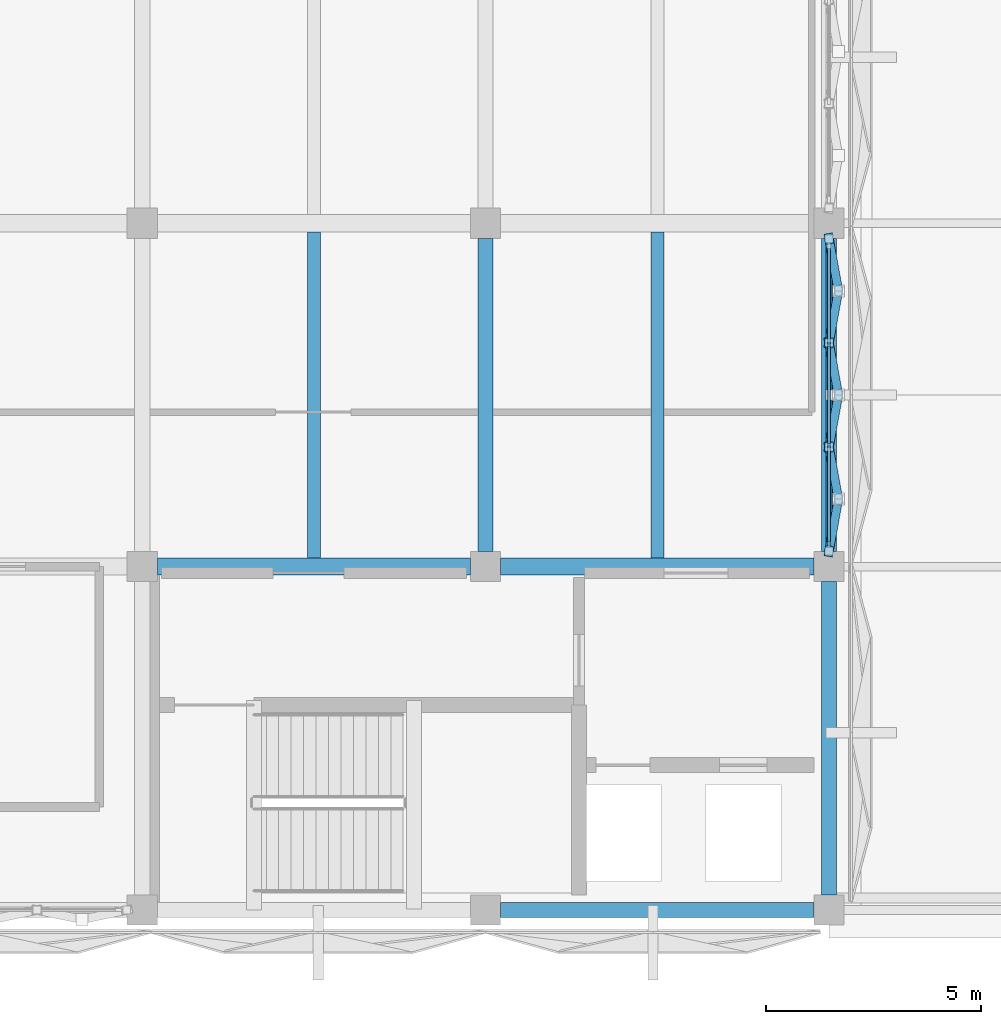
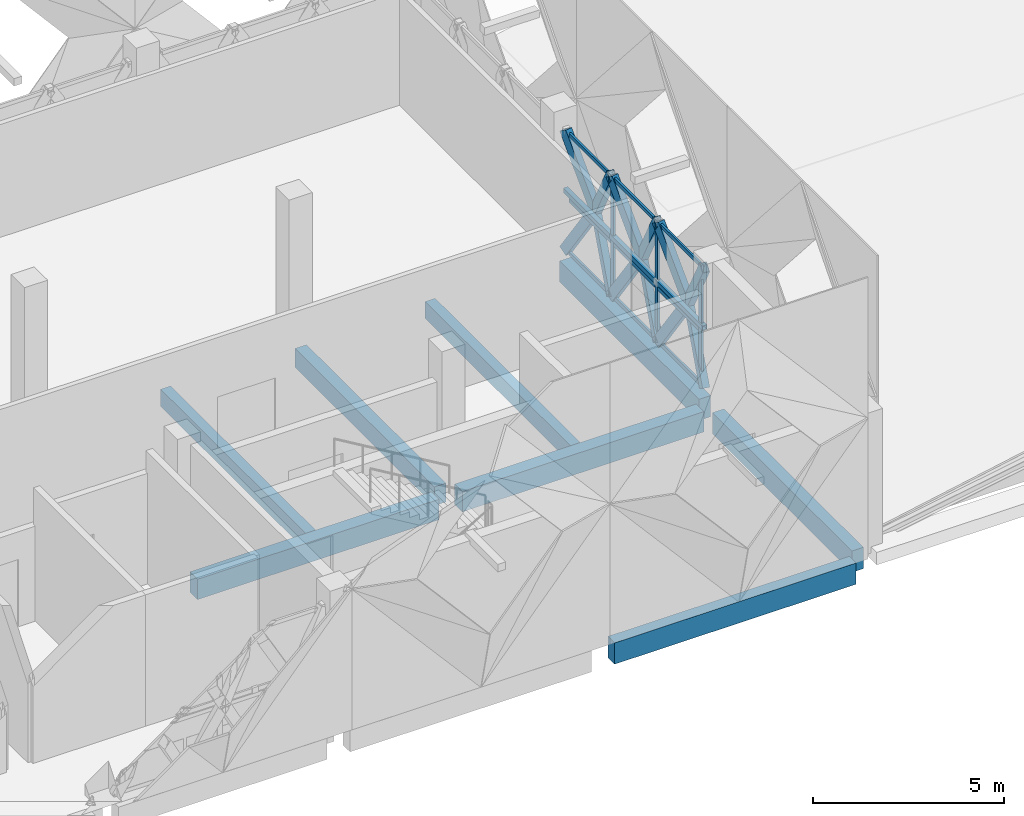
# One storey, part 13 of 37: 27 members, 8 beams, 1 element without a shape of its own.
"""IFC4 building model written with IfcOpenShell, lengths in metres."""

from ifc_helpers import new_model, si_unit, direction, frame, origin, origin_2d, place, context, subcontext, project, spatial, rectangle, hollow_rectangle, extrude, material, layer, layer_set, material_profile, profile_set, type_object, element, aggregate, save


model = new_model("IFC4")

# Units and contexts
model_context = context("Model", 3, precision=1e-05, world=origin(), true_north=direction((0.0, 1.0)))
body_context = subcontext(model_context, "Body", "Model", "MODEL_VIEW")
ifc_project = project(units=[si_unit("LENGTHUNIT", "METRE"), si_unit("AREAUNIT", "SQUARE_METRE"), si_unit("VOLUMEUNIT", "CUBIC_METRE"), si_unit("PLANEANGLEUNIT", "RADIAN"), si_unit("MASSUNIT", "GRAM", prefix="KILO")], contexts=[model_context])

# Site, building, storey
site_placement = place(None, origin())
site = spatial("IfcSite", under=ifc_project, at=site_placement, CompositionType="ELEMENT")
building_placement = place(site_placement, origin())
building = spatial("IfcBuilding", under=site, at=building_placement, Name="Qorikala Patio Media Centre", CompositionType="ELEMENT")
storey_placement = place(building_placement, frame((0.0, 0.0, 14.39990234375)))
storey = spatial("IfcBuildingStorey", under=building, at=storey_placement, Name="L03", CompositionType="ELEMENT", Elevation=14.39990234375)

# Beams
ifc_material_1 = material(Name="Concrete C35/45", Category="concrete")
ifc_material_profile_1 = material_profile(ifc_material_1, rectangle(XDim=0.35009765625, YDim=0.60009765625, at=origin_2d()), Name="RC 350x600")
ifc_profile_set_1 = profile_set([ifc_material_profile_1], Name="Concrete C35/45")
beam_type_1 = type_object("IfcBeamType", Name="BM-G350X600", PredefinedType="BEAM", material=ifc_profile_set_1)
beam_placement = place(storey_placement, frame((90.0, 11.35009765625, -0.599853515625), z_axis=(0.0, 1.0, 0.0), x_axis=(-1.0, 0.0, 0.0)))
element("IfcBeam", 1, at=beam_placement, inside=storey, type_object=beam_type_1, Name="L03 Grid X=90 Beam 1259", PredefinedType="BEAM", context=body_context, shape_type="SweptSolid", body=[
    extrude(rectangle(XDim=0.35009765625, YDim=0.60009765625, at=origin_2d()), origin(), (0.0, 0.0, 1.0), 7.2998046875),
])
ifc_material_profile_2 = material_profile(ifc_material_1, rectangle(XDim=0.39990234375, YDim=0.64990234375, at=origin_2d()), Name="RC 400x650")
ifc_profile_set_2 = profile_set([ifc_material_profile_2], Name="Concrete C35/45")
beam_type_2 = type_object("IfcBeamType", Name="BM-G400X650", PredefinedType="BEAM", material=ifc_profile_set_2)
for number, where, z_axis, x_axis, name in (
    (2, (82.35009765625, 11.0, -0.625), (1.0, 0.0, 0.0), (0.0, 1.0, 0.0), "L03 Grid 11 Beam 1124"),
    (3, (90.35009765625, 11.0, -0.625), (1.0, 0.0, 0.0), (0.0, 1.0, 0.0), "L03 Grid 11 Beam 1125"),
):
    element("IfcBeam", number, at=place(storey_placement, frame(where, z_axis=z_axis, x_axis=x_axis)), inside=storey, type_object=beam_type_2, Name=name, PredefinedType="BEAM", context=body_context, shape_type="SweptSolid", body=[
        extrude(rectangle(XDim=0.39990234375, YDim=0.64990234375, at=origin_2d()), origin(), (0.0, 0.0, 1.0), 7.2998046875),
    ])

# Members
ifc_material_2 = material(Name="Golden Bronze Coated Steel S355", Category="steel")
ifc_material_profile_3 = material_profile(ifc_material_2, hollow_rectangle(XDim=0.139892578125, YDim=0.139892578125, WallThickness=0.006103515625, at=origin_2d()), Name="HSS140X140X6")
ifc_profile_set_3 = profile_set([ifc_material_profile_3], Name="Golden Bronze Coated Steel S355")
member_type_1 = type_object("IfcMemberType", Name="BRACE-DIA140", PredefinedType="BRACE", material=ifc_profile_set_3)
member_1_placement = place(storey_placement, frame((98.0, 18.639892578125, 1.925048828125), z_axis=(0.0, -1.0, 0.0), x_axis=(1.0, 0.0, 0.0)))
element("IfcMember", 4, at=member_1_placement, inside=storey, type_object=member_type_1, Name="L03 Diamond Fold Tie 070", PredefinedType="BRACE", context=body_context, shape_type="SweptSolid", body=[
    extrude(hollow_rectangle(XDim=0.139892578125, YDim=0.139892578125, WallThickness=0.006103515625, at=origin_2d()), origin(), (0.0, 0.0, 1.0), 2.426513671875),
])
member_2_placement = place(storey_placement, frame((98.0, 16.21337890625, 1.925048828125), z_axis=(0.0, -1.0, 0.0), x_axis=(1.0, 0.0, 0.0)))
element("IfcMember", 5, at=member_2_placement, inside=storey, type_object=member_type_1, Name="L03 Diamond Fold Tie 071", PredefinedType="BRACE", context=body_context, shape_type="SweptSolid", body=[
    extrude(hollow_rectangle(XDim=0.139892578125, YDim=0.139892578125, WallThickness=0.006103515625, at=origin_2d()), origin(), (0.0, 0.0, 1.0), 2.4267578125),
])
member_3_placement = place(storey_placement, frame((98.0, 13.78662109375, 1.925048828125), z_axis=(0.0, -1.0, 0.0), x_axis=(1.0, 0.0, 0.0)))
element("IfcMember", 6, at=member_3_placement, inside=storey, type_object=member_type_1, Name="L03 Diamond Fold Tie 072", PredefinedType="BRACE", context=body_context, shape_type="SweptSolid", body=[
    extrude(hollow_rectangle(XDim=0.139892578125, YDim=0.139892578125, WallThickness=0.006103515625, at=origin_2d()), origin(), (0.0, 0.0, 1.0), 2.426513671875),
])

# Curtain wall, members
ifc_material_3 = material(Name="Golden Bronze Anodised Aluminium and Low-E Glass", Category="aluminium")
ifc_layer = layer(ifc_material_3, 0.159912109375)
ifc_layer_set = layer_set([ifc_layer], Name="Golden Bronze Anodised Aluminium and Low-E Glass")
curtain_wall_type = type_object("IfcCurtainWallType", Name="CW-DIA-696X385", PredefinedType="USERDEFINED", material=ifc_layer_set)
curtain_wall_placement = place(storey_placement, origin())
curtain_wall = element("IfcCurtainWall", 7, at=curtain_wall_placement, inside=storey, type_object=curtain_wall_type, Name="L03 Courtyard Curtain Wall 065", ObjectType="COURTYARD CURTAIN WALL", PredefinedType="USERDEFINED")
ifc_material_4 = material(Name="Golden Bronze Anodised Aluminium", Category="aluminium")
ifc_material_profile_4 = material_profile(ifc_material_4, rectangle(XDim=0.06494140625, YDim=0.14990234375, at=origin_2d()), Name="ALU MULLION 65x150")
ifc_profile_set_4 = profile_set([ifc_material_profile_4], Name="Golden Bronze Anodised Aluminium")
member_type_2 = type_object("IfcMemberType", Name="CWM-65X150", PredefinedType="MULLION", material=ifc_profile_set_4)
member_4_placement = place(storey_placement, frame((98.0, 16.159912109375, 0.0), z_axis=(0.0, 0.0, 1.0), x_axis=(1.0, 0.0, 0.0)))
member_4 = element("IfcMember", 8, at=member_4_placement, type_object=member_type_2, Name="CWD696385 mullion 2", PredefinedType="MULLION", context=body_context, shape_type="SweptSolid", body=[
    extrude(rectangle(XDim=0.06494140625, YDim=0.14990234375, at=origin_2d()), origin(), (0.0, 0.0, 1.0), 3.85009765625),
])
member_5_placement = place(storey_placement, frame((98.0, 13.840087890625, 0.0), z_axis=(0.0, 0.0, 1.0), x_axis=(1.0, 0.0, 0.0)))
member_5 = element("IfcMember", 9, at=member_5_placement, type_object=member_type_2, Name="CWD696385 mullion 3", PredefinedType="MULLION", context=body_context, shape_type="SweptSolid", body=[
    extrude(rectangle(XDim=0.06494140625, YDim=0.14990234375, at=origin_2d()), origin(), (0.0, 0.0, 1.0), 3.85009765625),
])
member_6_placement = place(storey_placement, frame((98.0, 11.552490234375, 0.0), z_axis=(0.0, 0.0, 1.0), x_axis=(1.0, 0.0, 0.0)))
member_6 = element("IfcMember", 10, at=member_6_placement, type_object=member_type_2, Name="CWD696385 mullion 4", PredefinedType="MULLION", context=body_context, shape_type="SweptSolid", body=[
    extrude(rectangle(XDim=0.06494140625, YDim=0.14990234375, at=origin_2d()), origin(), (0.0, 0.0, 1.0), 3.85009765625),
])
ifc_material_profile_5 = material_profile(ifc_material_4, rectangle(XDim=0.06494140625, YDim=0.1201171875, at=origin_2d()), Name="ALU TRANSOM 65x120")
ifc_profile_set_5 = profile_set([ifc_material_profile_5], Name="Golden Bronze Anodised Aluminium")
member_type_3 = type_object("IfcMemberType", Name="CWT-65X120", PredefinedType="USERDEFINED", material=ifc_profile_set_5)
member_7_placement = place(storey_placement, frame((98.0, 18.4150390625, 0.03271484375), z_axis=(0.0, -1.0, 0.0), x_axis=(1.0, 0.0, 0.0)))
member_7 = element("IfcMember", 11, at=member_7_placement, type_object=member_type_3, Name="CWD696385 transom 1.1", ObjectType="TRANSOM", PredefinedType="USERDEFINED", context=body_context, shape_type="SweptSolid", body=[
    extrude(rectangle(XDim=0.06494140625, YDim=0.1201171875, at=origin_2d()), origin(), (0.0, 0.0, 1.0), 2.22265625),
])
member_8_placement = place(storey_placement, frame((98.0, 18.4150390625, 1.732666015625), z_axis=(0.0, -1.0, 0.0), x_axis=(1.0, 0.0, 0.0)))
member_8 = element("IfcMember", 12, at=member_8_placement, type_object=member_type_3, Name="CWD696385 transom 1.2", ObjectType="TRANSOM", PredefinedType="USERDEFINED", context=body_context, shape_type="SweptSolid", body=[
    extrude(rectangle(XDim=0.06494140625, YDim=0.1201171875, at=origin_2d()), origin(), (0.0, 0.0, 1.0), 2.22265625),
])
member_9_placement = place(storey_placement, frame((98.0, 18.4150390625, 3.817626953125), z_axis=(0.0, -1.0, 0.0), x_axis=(1.0, 0.0, 0.0)))
member_9 = element("IfcMember", 13, at=member_9_placement, type_object=member_type_3, Name="CWD696385 transom 1.3", ObjectType="TRANSOM", PredefinedType="USERDEFINED", context=body_context, shape_type="SweptSolid", body=[
    extrude(rectangle(XDim=0.06494140625, YDim=0.1201171875, at=origin_2d()), origin(), (0.0, 0.0, 1.0), 2.22265625),
])
member_10_placement = place(storey_placement, frame((98.0, 16.12744140625, 0.03271484375), z_axis=(0.0, -1.0, 0.0), x_axis=(1.0, 0.0, 0.0)))
member_10 = element("IfcMember", 14, at=member_10_placement, type_object=member_type_3, Name="CWD696385 transom 2.1", ObjectType="TRANSOM", PredefinedType="USERDEFINED", context=body_context, shape_type="SweptSolid", body=[
    extrude(rectangle(XDim=0.06494140625, YDim=0.1201171875, at=origin_2d()), origin(), (0.0, 0.0, 1.0), 2.2548828125),
])
member_11_placement = place(storey_placement, frame((98.0, 16.12744140625, 1.732666015625), z_axis=(0.0, -1.0, 0.0), x_axis=(1.0, 0.0, 0.0)))
member_11 = element("IfcMember", 15, at=member_11_placement, type_object=member_type_3, Name="CWD696385 transom 2.2", ObjectType="TRANSOM", PredefinedType="USERDEFINED", context=body_context, shape_type="SweptSolid", body=[
    extrude(rectangle(XDim=0.06494140625, YDim=0.1201171875, at=origin_2d()), origin(), (0.0, 0.0, 1.0), 2.2548828125),
])
member_12_placement = place(storey_placement, frame((98.0, 16.12744140625, 3.817626953125), z_axis=(0.0, -1.0, 0.0), x_axis=(1.0, 0.0, 0.0)))
member_12 = element("IfcMember", 16, at=member_12_placement, type_object=member_type_3, Name="CWD696385 transom 2.3", ObjectType="TRANSOM", PredefinedType="USERDEFINED", context=body_context, shape_type="SweptSolid", body=[
    extrude(rectangle(XDim=0.06494140625, YDim=0.1201171875, at=origin_2d()), origin(), (0.0, 0.0, 1.0), 2.2548828125),
])
member_13_placement = place(storey_placement, frame((98.0, 13.8076171875, 0.03271484375), z_axis=(0.0, -1.0, 0.0), x_axis=(1.0, 0.0, 0.0)))
member_13 = element("IfcMember", 17, at=member_13_placement, type_object=member_type_3, Name="CWD696385 transom 3.1", ObjectType="TRANSOM", PredefinedType="USERDEFINED", context=body_context, shape_type="SweptSolid", body=[
    extrude(rectangle(XDim=0.06494140625, YDim=0.1201171875, at=origin_2d()), origin(), (0.0, 0.0, 1.0), 2.22265625),
])
member_14_placement = place(storey_placement, frame((98.0, 13.8076171875, 1.732666015625), z_axis=(0.0, -1.0, 0.0), x_axis=(1.0, 0.0, 0.0)))
member_14 = element("IfcMember", 18, at=member_14_placement, type_object=member_type_3, Name="CWD696385 transom 3.2", ObjectType="TRANSOM", PredefinedType="USERDEFINED", context=body_context, shape_type="SweptSolid", body=[
    extrude(rectangle(XDim=0.06494140625, YDim=0.1201171875, at=origin_2d()), origin(), (0.0, 0.0, 1.0), 2.22265625),
])
member_15_placement = place(storey_placement, frame((98.0, 13.8076171875, 3.817626953125), z_axis=(0.0, -1.0, 0.0), x_axis=(1.0, 0.0, 0.0)))
member_15 = element("IfcMember", 19, at=member_15_placement, type_object=member_type_3, Name="CWD696385 transom 3.3", ObjectType="TRANSOM", PredefinedType="USERDEFINED", context=body_context, shape_type="SweptSolid", body=[
    extrude(rectangle(XDim=0.06494140625, YDim=0.1201171875, at=origin_2d()), origin(), (0.0, 0.0, 1.0), 2.22265625),
])
aggregate(curtain_wall, [member_4, member_5, member_6, member_7, member_8, member_9, member_10, member_11, member_12, member_13, member_14, member_15])

# Beams
ifc_material_profile_6 = material_profile(ifc_material_1, rectangle(XDim=0.300048828125, YDim=0.550048828125, at=origin_2d()), Name="RC 300x550")
ifc_profile_set_6 = profile_set([ifc_material_profile_6], Name="Concrete C35/45")
beam_type_3 = type_object("IfcBeamType", Name="JS-300X550", PredefinedType="JOIST", material=ifc_profile_set_6)
for number, where, z_axis, x_axis, name in (
    (20, (86.0, 11.199951171875, -0.574951171875), (0.0, 1.0, 0.0), (-1.0, 0.0, 0.0), "L03 Secondary Joist 1314"),
    (21, (94.0, 11.199951171875, -0.574951171875), (0.0, 1.0, 0.0), (-1.0, 0.0, 0.0), "L03 Secondary Joist 1316"),
):
    element("IfcBeam", number, at=place(storey_placement, frame(where, z_axis=z_axis, x_axis=x_axis)), inside=storey, type_object=beam_type_3, Name=name, PredefinedType="JOIST", context=body_context, shape_type="SweptSolid", body=[
        extrude(rectangle(XDim=0.300048828125, YDim=0.550048828125, at=origin_2d()), origin(), (0.0, 0.0, 1.0), 7.60009765625),
    ])
ifc_material_profile_7 = material_profile(ifc_material_1, rectangle(XDim=0.35009765625, YDim=0.679931640625, at=origin_2d()), Name="RC 350x680")
ifc_profile_set_7 = profile_set([ifc_material_profile_7], Name="Concrete C35/45")
beam_type_4 = type_object("IfcBeamType", Name="SP-350X680", PredefinedType="SPANDREL", material=ifc_profile_set_7)
for number, where, z_axis, x_axis, name in (
    (22, (90.35009765625, 3.0, -0.639892578125), (1.0, 0.0, 0.0), (0.0, 1.0, 0.0), "L03 Grid 3 Beam 1114"),
    (23, (98.0, 3.35009765625, -0.639892578125), (0.0, 1.0, 0.0), (-1.0, 0.0, 0.0), "L03 Grid X=98 Beam 1261"),
    (24, (98.0, 11.35009765625, -0.639892578125), (0.0, 1.0, 0.0), (-1.0, 0.0, 0.0), "L03 Grid X=98 Beam 1262"),
):
    element("IfcBeam", number, at=place(storey_placement, frame(where, z_axis=z_axis, x_axis=x_axis)), inside=storey, type_object=beam_type_4, Name=name, PredefinedType="SPANDREL", context=body_context, shape_type="SweptSolid", body=[
        extrude(rectangle(XDim=0.35009765625, YDim=0.679931640625, at=origin_2d()), origin(), (0.0, 0.0, 1.0), 7.2998046875),
    ])

# Members
ifc_material_profile_8 = material_profile(ifc_material_2, hollow_rectangle(XDim=0.199951171875, YDim=0.300048828125, WallThickness=0.011962890625, at=origin_2d()), Name="HSS300X200X12")
ifc_profile_set_8 = profile_set([ifc_material_profile_8], Name="Golden Bronze Coated Steel S355")
member_type_4 = type_object("IfcMemberType", Name="STRUT-DIA300", PredefinedType="STRUT", material=ifc_profile_set_8)
member_16_placement = place(storey_placement, frame((98.0, 18.639892578125, 0.0), z_axis=(0.095906793675, -0.530691378365, 0.842121456713), x_axis=(0.984059472596, 0.17783968734, 0.0)))
element("IfcMember", 25, at=member_16_placement, inside=storey, type_object=member_type_4, Name="L03 Diamond Foyer Fold Strut 070-DL1", PredefinedType="STRUT", context=body_context, shape_type="SweptSolid", body=[
    extrude(hollow_rectangle(XDim=0.199951171875, YDim=0.300048828125, WallThickness=0.011962890625, at=origin_2d()), origin(), (0.0, 0.0, 1.0), 2.285888671875),
])
member_17_placement = place(storey_placement, frame((98.0, 16.21337890625, 0.0), z_axis=(0.095901357778, 0.530768093717, 0.842073726148), x_axis=(-0.98406573416, 0.177805036072, 0.0)))
element("IfcMember", 26, at=member_17_placement, inside=storey, type_object=member_type_4, Name="L03 Diamond Foyer Fold Strut 070-DL2", PredefinedType="STRUT", context=body_context, shape_type="SweptSolid", body=[
    extrude(hollow_rectangle(XDim=0.199951171875, YDim=0.300048828125, WallThickness=0.011962890625, at=origin_2d()), origin(), (0.0, 0.0, 1.0), 2.2861328125),
])
member_18_placement = place(storey_placement, frame((98.21923828125, 17.4267578125, 1.925048828125), z_axis=(-0.095906793675, 0.530691378365, 0.842121456713), x_axis=(-0.984059472596, -0.17783968734, 0.0)))
element("IfcMember", 27, at=member_18_placement, inside=storey, type_object=member_type_4, Name="L03 Diamond Foyer Fold Strut 070-DU1", PredefinedType="STRUT", context=body_context, shape_type="SweptSolid", body=[
    extrude(hollow_rectangle(XDim=0.199951171875, YDim=0.300048828125, WallThickness=0.011962890625, at=origin_2d()), origin(), (0.0, 0.0, 1.0), 2.285888671875),
])
for number, where, z_axis, x_axis, name in (
    (28, (98.21923828125, 17.4267578125, 1.925048828125), (-0.095901357778, -0.530768093717, 0.842073726148), (0.98406573416, -0.177805036072, 0.0), "L03 Diamond Foyer Fold Strut 070-DU2"),
    (29, (98.0, 16.21337890625, 0.0), (0.095901357778, -0.530768093717, 0.842073726148), (0.98406573416, 0.177805036072, 0.0), "L03 Diamond Foyer Fold Strut 071-DL1"),
    (30, (98.0, 13.78662109375, 0.0), (0.095901357778, 0.530768093717, 0.842073726148), (-0.98406573416, 0.177805036072, 0.0), "L03 Diamond Foyer Fold Strut 071-DL2"),
    (31, (98.21923828125, 15.0, 1.925048828125), (-0.095901357778, 0.530768093717, 0.842073726148), (-0.98406573416, -0.177805036072, 0.0), "L03 Diamond Foyer Fold Strut 071-DU1"),
    (32, (98.21923828125, 15.0, 1.925048828125), (-0.095901357778, -0.530768093717, 0.842073726148), (0.98406573416, -0.177805036072, 0.0), "L03 Diamond Foyer Fold Strut 071-DU2"),
    (33, (98.0, 13.78662109375, 0.0), (0.095901357778, -0.530768093717, 0.842073726148), (0.98406573416, 0.177805036072, 0.0), "L03 Diamond Foyer Fold Strut 072-DL1"),
):
    element("IfcMember", number, at=place(storey_placement, frame(where, z_axis=z_axis, x_axis=x_axis)), inside=storey, type_object=member_type_4, Name=name, PredefinedType="STRUT", context=body_context, shape_type="SweptSolid", body=[
        extrude(hollow_rectangle(XDim=0.199951171875, YDim=0.300048828125, WallThickness=0.011962890625, at=origin_2d()), origin(), (0.0, 0.0, 1.0), 2.2861328125),
    ])
member_19_placement = place(storey_placement, frame((98.0, 11.360107421875, 0.0), z_axis=(0.095906793675, 0.530691378365, 0.842121456713), x_axis=(-0.984059472596, 0.17783968734, 0.0)))
element("IfcMember", 34, at=member_19_placement, inside=storey, type_object=member_type_4, Name="L03 Diamond Foyer Fold Strut 072-DL2", PredefinedType="STRUT", context=body_context, shape_type="SweptSolid", body=[
    extrude(hollow_rectangle(XDim=0.199951171875, YDim=0.300048828125, WallThickness=0.011962890625, at=origin_2d()), origin(), (0.0, 0.0, 1.0), 2.285888671875),
])
member_20_placement = place(storey_placement, frame((98.21923828125, 12.5732421875, 1.925048828125), z_axis=(-0.095901357778, 0.530768093717, 0.842073726148), x_axis=(-0.98406573416, -0.177805036072, 0.0)))
element("IfcMember", 35, at=member_20_placement, inside=storey, type_object=member_type_4, Name="L03 Diamond Foyer Fold Strut 072-DU1", PredefinedType="STRUT", context=body_context, shape_type="SweptSolid", body=[
    extrude(hollow_rectangle(XDim=0.199951171875, YDim=0.300048828125, WallThickness=0.011962890625, at=origin_2d()), origin(), (0.0, 0.0, 1.0), 2.2861328125),
])
member_21_placement = place(storey_placement, frame((98.21923828125, 12.5732421875, 1.925048828125), z_axis=(-0.095906793675, -0.530691378365, 0.842121456713), x_axis=(0.984059472596, -0.17783968734, 0.0)))
element("IfcMember", 36, at=member_21_placement, inside=storey, type_object=member_type_4, Name="L03 Diamond Foyer Fold Strut 072-DU2", PredefinedType="STRUT", context=body_context, shape_type="SweptSolid", body=[
    extrude(hollow_rectangle(XDim=0.199951171875, YDim=0.300048828125, WallThickness=0.011962890625, at=origin_2d()), origin(), (0.0, 0.0, 1.0), 2.285888671875),
])

save(model, "model.ifc")
